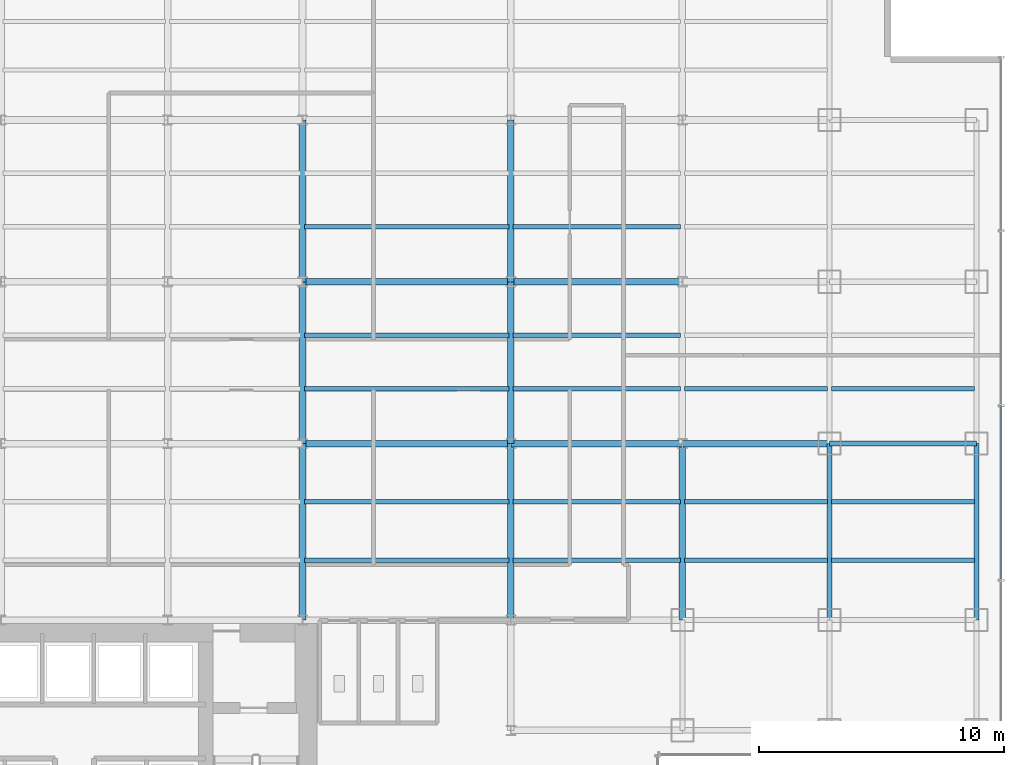
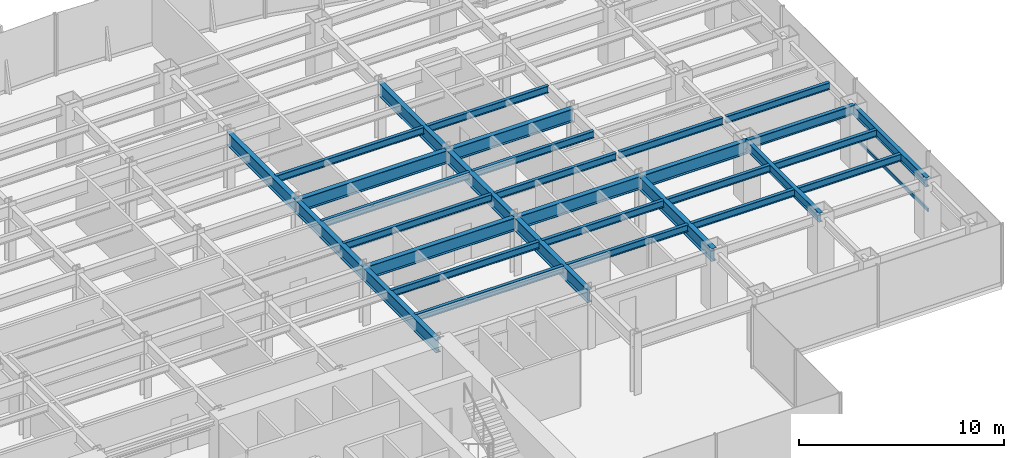
# One storey, part 8 of 22: 31 beams, 1 member, 1 element without a shape of its own.
"""IFC4 building model written with IfcOpenShell, lengths in metres."""

from ifc_helpers import new_model, si_unit, derived_unit, direction, frame, origin, origin_2d, place, context, subcontext, project, spatial, hollow_rectangle, i_section, extrude, source, transform, mapped, material, material_profile, profile_set, type_object, element, aggregate, save


model = new_model("IFC4")

# Units and contexts
model_context = context("Model", 3, precision=1e-05, world=origin(), true_north=direction((0.0, 1.0)))
body_context = subcontext(model_context, "Body", "Model", "MODEL_VIEW")
ifc_project = project(units=[si_unit("LENGTHUNIT", "METRE"), si_unit("AREAUNIT", "SQUARE_METRE"), si_unit("VOLUMEUNIT", "CUBIC_METRE"), si_unit("PLANEANGLEUNIT", "RADIAN"), si_unit("MASSUNIT", "GRAM", prefix="KILO"), derived_unit("THERMALTRANSMITTANCEUNIT", [(si_unit("POWERUNIT", "WATT"), 1), (si_unit("LENGTHUNIT", "METRE"), -2), (si_unit("THERMODYNAMICTEMPERATUREUNIT", "KELVIN"), -1)])], contexts=[model_context])

# Site, building, storey
site_placement = place(None, origin())
site = spatial("IfcSite", under=ifc_project, at=site_placement, CompositionType="ELEMENT")
building_placement = place(site_placement, origin())
building = spatial("IfcBuilding", under=site, at=building_placement, Name="Skarnbrae Concourse Arena and Tower", CompositionType="ELEMENT")
storey_placement = place(building_placement, frame((0.0, 0.0, 69.0)))
storey = spatial("IfcBuildingStorey", under=building, at=storey_placement, Name="L16", CompositionType="ELEMENT", Elevation=69.0)

# Beams
ifc_material_1 = material(Name="Steel CSA G40.21 350W", Category="steel")
ifc_material_profile_1 = material_profile(ifc_material_1, i_section(OverallWidth=0.26806640625, OverallDepth=0.77001953125, WebThickness=0.015625, FlangeThickness=0.025390625, at=origin_2d()), Name="W760X196")
ifc_profile_set_1 = profile_set([ifc_material_profile_1], Name="Steel CSA G40.21 350W")
beam_type_1 = type_object("IfcBeamType", Name="BM-GIRD-W760X196", PredefinedType="BEAM", material=ifc_profile_set_1)
shared_shape_1 = source(origin(), body_context, "Body", "SweptSolid", [
    extrude(i_section(OverallWidth=0.26806640625, OverallDepth=0.77001953125, WebThickness=0.015625, FlangeThickness=0.025390625, at=origin_2d()), origin(), (0.0, 0.0, 1.0), 7.0),
])
for number, where, z_axis, x_axis, name in (
    (1, (42.0, 21.199951171875, 3.014892578125), (1.0, 0.0, 0.0), (0.0, 1.0, 0.0), "L16 Primary E-W girder Y21.2-7"),
    (2, (42.0, 27.800048828125, 3.014892578125), (1.0, 0.0, 0.0), (0.0, 1.0, 0.0), "L16 Primary E-W girder Y27.8-7"),
):
    element("IfcBeam", number, at=place(storey_placement, frame(where, z_axis=z_axis, x_axis=x_axis)), inside=storey, type_object=beam_type_1, Name=name, PredefinedType="BEAM", context=body_context, shape_type="MappedRepresentation", body=[
        mapped(shared_shape_1, transform((0.0, 0.0, 0.0))),
    ])
ifc_material_profile_2 = material_profile(ifc_material_1, i_section(OverallWidth=0.214111328125, OverallDepth=0.549072265625, WebThickness=0.0146484375, FlangeThickness=0.023681640625, at=origin_2d()), Name="W530X138")
ifc_profile_set_2 = profile_set([ifc_material_profile_2], Name="Steel CSA G40.21 350W")
beam_type_2 = type_object("IfcBeamType", Name="BM-SPAN-W530X138", PredefinedType="SPANDREL", material=ifc_profile_set_2)
shared_shape_2 = source(origin(), body_context, "Body", "SweptSolid", [
    extrude(i_section(OverallWidth=0.214111328125, OverallDepth=0.549072265625, WebThickness=0.0146484375, FlangeThickness=0.023681640625, at=origin_2d()), origin(), (0.0, 0.0, 1.0), 6.0),
])
beam_1_placement = place(storey_placement, frame((55.0, 21.199951171875, 3.12548828125), z_axis=(1.0, 0.0, 0.0), x_axis=(0.0, 1.0, 0.0)))
element("IfcBeam", 3, at=beam_1_placement, inside=storey, type_object=beam_type_2, Name="L16 Perimeter spandrel Y21.2-9", PredefinedType="SPANDREL", context=body_context, shape_type="MappedRepresentation", body=[
    mapped(shared_shape_2, transform((0.0, 0.0, 0.0))),
])
shared_shape_3 = source(origin(), body_context, "Body", "SweptSolid", [
    extrude(i_section(OverallWidth=0.26806640625, OverallDepth=0.77001953125, WebThickness=0.015625, FlangeThickness=0.025390625, at=origin_2d()), origin(), (0.0, 0.0, 1.0), 6.60009765625),
])
for number, where, z_axis, x_axis, name in (
    (4, (33.5, 21.199951171875, 3.014892578125), (0.0, 1.0, 0.0), (-1.0, 0.0, 0.0), "L16 Primary N-S girder X33.5-2"),
    (5, (42.0, 21.199951171875, 3.014892578125), (0.0, 1.0, 0.0), (-1.0, 0.0, 0.0), "L16 Primary N-S girder X42.0-3"),
):
    element("IfcBeam", number, at=place(storey_placement, frame(where, z_axis=z_axis, x_axis=x_axis)), inside=storey, type_object=beam_type_1, Name=name, PredefinedType="BEAM", context=body_context, shape_type="MappedRepresentation", body=[
        mapped(shared_shape_3, transform((0.0, 0.0, 0.0))),
    ])
shared_shape_4 = source(origin(), body_context, "Body", "SweptSolid", [
    extrude(i_section(OverallWidth=0.26806640625, OverallDepth=0.77001953125, WebThickness=0.015625, FlangeThickness=0.025390625, at=origin_2d()), origin(), (0.0, 0.0, 1.0), 8.5),
])
for number, where, z_axis, x_axis, name in (
    (6, (33.5, 21.199951171875, 3.014892578125), (1.0, 0.0, 0.0), (0.0, 1.0, 0.0), "L16 Primary E-W girder Y21.2-6"),
    (7, (33.5, 27.800048828125, 3.014892578125), (1.0, 0.0, 0.0), (0.0, 1.0, 0.0), "L16 Primary E-W girder Y27.8-6"),
):
    element("IfcBeam", number, at=place(storey_placement, frame(where, z_axis=z_axis, x_axis=x_axis)), inside=storey, type_object=beam_type_1, Name=name, PredefinedType="BEAM", context=body_context, shape_type="MappedRepresentation", body=[
        mapped(shared_shape_4, transform((0.0, 0.0, 0.0))),
    ])
shared_shape_5 = source(origin(), body_context, "Body", "SweptSolid", [
    extrude(i_section(OverallWidth=0.26806640625, OverallDepth=0.77001953125, WebThickness=0.015625, FlangeThickness=0.025390625, at=origin_2d()), origin(), (0.0, 0.0, 1.0), 6.0),
])
beam_2_placement = place(storey_placement, frame((49.0, 21.199951171875, 3.014892578125), z_axis=(1.0, 0.0, 0.0), x_axis=(0.0, 1.0, 0.0)))
element("IfcBeam", 8, at=beam_2_placement, inside=storey, type_object=beam_type_1, Name="L16 Primary E-W girder Y21.2-8", PredefinedType="BEAM", context=body_context, shape_type="MappedRepresentation", body=[
    mapped(shared_shape_5, transform((0.0, 0.0, 0.0))),
])
shared_shape_6 = source(origin(), body_context, "Body", "SweptSolid", [
    extrude(i_section(OverallWidth=0.214111328125, OverallDepth=0.549072265625, WebThickness=0.0146484375, FlangeThickness=0.023681640625, at=origin_2d()), origin(), (0.0, 0.0, 1.0), 7.199951171875),
])
for number, where, z_axis, x_axis, name in (
    (9, (55.0, 14.0, 3.12548828125), (0.0, 1.0, 0.0), (-1.0, 0.0, 0.0), "L16 Perimeter spandrel X55.0-2"),
    (10, (61.0, 14.0, 3.12548828125), (0.0, 1.0, 0.0), (-1.0, 0.0, 0.0), "L16 Perimeter spandrel X61.0-2"),
):
    element("IfcBeam", number, at=place(storey_placement, frame(where, z_axis=z_axis, x_axis=x_axis)), inside=storey, type_object=beam_type_2, Name=name, PredefinedType="SPANDREL", context=body_context, shape_type="MappedRepresentation", body=[
        mapped(shared_shape_6, transform((0.0, 0.0, 0.0))),
    ])
shared_shape_7 = source(origin(), body_context, "Body", "SweptSolid", [
    extrude(i_section(OverallWidth=0.26806640625, OverallDepth=0.77001953125, WebThickness=0.015625, FlangeThickness=0.025390625, at=origin_2d()), origin(), (0.0, 0.0, 1.0), 7.199951171875),
])
for number, where, z_axis, x_axis, name in (
    (11, (33.5, 14.0, 3.014892578125), (0.0, 1.0, 0.0), (-1.0, 0.0, 0.0), "L16 Primary N-S girder X33.5-1"),
    (12, (42.0, 14.0, 3.014892578125), (0.0, 1.0, 0.0), (-1.0, 0.0, 0.0), "L16 Primary N-S girder X42.0-2"),
    (13, (49.0, 14.0, 3.014892578125), (0.0, 1.0, 0.0), (-1.0, 0.0, 0.0), "L16 Primary N-S girder X49.0-2"),
):
    element("IfcBeam", number, at=place(storey_placement, frame(where, z_axis=z_axis, x_axis=x_axis)), inside=storey, type_object=beam_type_1, Name=name, PredefinedType="BEAM", context=body_context, shape_type="MappedRepresentation", body=[
        mapped(shared_shape_7, transform((0.0, 0.0, 0.0))),
    ])
shared_shape_8 = source(origin(), body_context, "Body", "SweptSolid", [
    extrude(i_section(OverallWidth=0.26806640625, OverallDepth=0.77001953125, WebThickness=0.015625, FlangeThickness=0.025390625, at=origin_2d()), origin(), (0.0, 0.0, 1.0), 6.599853515625),
])
for number, where, z_axis, x_axis, name in (
    (14, (33.5, 27.800048828125, 3.014892578125), (0.0, 1.0, 0.0), (-1.0, 0.0, 0.0), "L16 Primary N-S girder X33.5-3"),
    (15, (42.0, 27.800048828125, 3.014892578125), (0.0, 1.0, 0.0), (-1.0, 0.0, 0.0), "L16 Primary N-S girder X42.0-4"),
):
    element("IfcBeam", number, at=place(storey_placement, frame(where, z_axis=z_axis, x_axis=x_axis)), inside=storey, type_object=beam_type_1, Name=name, PredefinedType="BEAM", context=body_context, shape_type="MappedRepresentation", body=[
        mapped(shared_shape_8, transform((0.0, 0.0, 0.0))),
    ])
ifc_material_profile_3 = material_profile(ifc_material_1, i_section(OverallWidth=0.180908203125, OverallDepth=0.4169921875, WebThickness=0.010986328125, FlangeThickness=0.018310546875, at=origin_2d()), Name="W410X85")
ifc_profile_set_3 = profile_set([ifc_material_profile_3], Name="Steel CSA G40.21 350W")
beam_type_3 = type_object("IfcBeamType", Name="BM-JOIST-W410X85", PredefinedType="JOIST", material=ifc_profile_set_3)
shared_shape_9 = source(origin(), body_context, "Body", "SweptSolid", [
    extrude(i_section(OverallWidth=0.180908203125, OverallDepth=0.4169921875, WebThickness=0.010986328125, FlangeThickness=0.018310546875, at=origin_2d()), origin(), (0.0, 0.0, 1.0), 8.33984375),
])
for number, where, z_axis, x_axis, name in (
    (16, (33.580078125, 16.447998046875, 3.19140625), (1.0, 0.0, 0.0), (0.0, 1.0, 0.0), "L16 Secondary floor joist 1.1.6"),
    (17, (33.580078125, 18.823974609375, 3.19140625), (1.0, 0.0, 0.0), (0.0, 1.0, 0.0), "L16 Secondary floor joist 1.2.6"),
    (18, (33.580078125, 23.444091796875, 3.19140625), (1.0, 0.0, 0.0), (0.0, 1.0, 0.0), "L16 Secondary floor joist 2.1.6"),
    (19, (33.580078125, 25.6220703125, 3.19140625), (1.0, 0.0, 0.0), (0.0, 1.0, 0.0), "L16 Secondary floor joist 2.2.6"),
    (20, (33.580078125, 30.0439453125, 3.19140625), (1.0, 0.0, 0.0), (0.0, 1.0, 0.0), "L16 Secondary floor joist 3.1.6"),
):
    element("IfcBeam", number, at=place(storey_placement, frame(where, z_axis=z_axis, x_axis=x_axis)), inside=storey, type_object=beam_type_3, Name=name, PredefinedType="JOIST", context=body_context, shape_type="MappedRepresentation", body=[
        mapped(shared_shape_9, transform((0.0, 0.0, 0.0))),
    ])
shared_shape_10 = source(origin(), body_context, "Body", "SweptSolid", [
    extrude(i_section(OverallWidth=0.180908203125, OverallDepth=0.4169921875, WebThickness=0.010986328125, FlangeThickness=0.018310546875, at=origin_2d()), origin(), (0.0, 0.0, 1.0), 6.83984375),
])
for number, where, z_axis, x_axis, name in (
    (21, (42.080078125, 16.447998046875, 3.19140625), (1.0, 0.0, 0.0), (0.0, 1.0, 0.0), "L16 Secondary floor joist 1.1.7"),
    (22, (42.080078125, 18.823974609375, 3.19140625), (1.0, 0.0, 0.0), (0.0, 1.0, 0.0), "L16 Secondary floor joist 1.2.7"),
    (23, (42.080078125, 23.444091796875, 3.19140625), (1.0, 0.0, 0.0), (0.0, 1.0, 0.0), "L16 Secondary floor joist 2.1.7"),
    (24, (42.080078125, 25.6220703125, 3.19140625), (1.0, 0.0, 0.0), (0.0, 1.0, 0.0), "L16 Secondary floor joist 2.2.7"),
    (25, (42.080078125, 30.0439453125, 3.19140625), (1.0, 0.0, 0.0), (0.0, 1.0, 0.0), "L16 Secondary floor joist 3.1.7"),
):
    element("IfcBeam", number, at=place(storey_placement, frame(where, z_axis=z_axis, x_axis=x_axis)), inside=storey, type_object=beam_type_3, Name=name, PredefinedType="JOIST", context=body_context, shape_type="MappedRepresentation", body=[
        mapped(shared_shape_10, transform((0.0, 0.0, 0.0))),
    ])
shared_shape_11 = source(origin(), body_context, "Body", "SweptSolid", [
    extrude(i_section(OverallWidth=0.180908203125, OverallDepth=0.4169921875, WebThickness=0.010986328125, FlangeThickness=0.018310546875, at=origin_2d()), origin(), (0.0, 0.0, 1.0), 5.83984375),
])
for number, where, z_axis, x_axis, name in (
    (26, (49.080078125, 16.447998046875, 3.19140625), (1.0, 0.0, 0.0), (0.0, 1.0, 0.0), "L16 Secondary floor joist 1.1.8"),
    (27, (55.080078125, 16.447998046875, 3.19140625), (1.0, 0.0, 0.0), (0.0, 1.0, 0.0), "L16 Secondary floor joist 1.1.9"),
    (28, (49.080078125, 18.823974609375, 3.19140625), (1.0, 0.0, 0.0), (0.0, 1.0, 0.0), "L16 Secondary floor joist 1.2.8"),
    (29, (55.080078125, 18.823974609375, 3.19140625), (1.0, 0.0, 0.0), (0.0, 1.0, 0.0), "L16 Secondary floor joist 1.2.9"),
    (30, (49.080078125, 23.444091796875, 3.19140625), (1.0, 0.0, 0.0), (0.0, 1.0, 0.0), "L16 Secondary floor joist 2.1.8"),
    (31, (55.080078125, 23.444091796875, 3.19140625), (1.0, 0.0, 0.0), (0.0, 1.0, 0.0), "L16 Secondary floor joist 2.1.9"),
):
    element("IfcBeam", number, at=place(storey_placement, frame(where, z_axis=z_axis, x_axis=x_axis)), inside=storey, type_object=beam_type_3, Name=name, PredefinedType="JOIST", context=body_context, shape_type="MappedRepresentation", body=[
        mapped(shared_shape_11, transform((0.0, 0.0, 0.0))),
    ])

# Curtain wall, member
ifc_material_2 = material(Name="Bronze anodised aluminium 6063-T6", Category="aluminium")
curtain_wall_type = type_object("IfcCurtainWallType", Name="CW-SYS-02-LOWZONE", PredefinedType="USERDEFINED", material=ifc_material_2)
curtain_wall_placement = place(storey_placement, origin())
curtain_wall = element("IfcCurtainWall", 32, at=curtain_wall_placement, inside=storey, type_object=curtain_wall_type, Name="L16 Unitised curtain wall CW-L16-E04", ObjectType="UNITISED CURTAIN WALL", PredefinedType="USERDEFINED")
ifc_material_profile_4 = material_profile(ifc_material_2, hollow_rectangle(XDim=0.080078125, YDim=0.18994140625, WallThickness=0.0048828125, at=origin_2d()), Name="ALU-TRAN-80X190")
ifc_profile_set_4 = profile_set([ifc_material_profile_4], Name="Bronze anodised aluminium 6063-T6")
member_type = type_object("IfcMemberType", Name="CWT-CW-02", PredefinedType="USERDEFINED", material=ifc_profile_set_4)
shared_shape_12 = source(origin(), body_context, "Body", "SweptSolid", [
    extrude(hollow_rectangle(XDim=0.080078125, YDim=0.18994140625, WallThickness=0.0048828125, at=origin_2d()), origin(), (0.0, 0.0, 1.0), 7.044921875),
])
member_placement = place(storey_placement, frame((62.0, 15.6650390625, 0.094970703125), z_axis=(0.0, 1.0, 0.0), x_axis=(-1.0, 0.0, 0.0)))
member = element("IfcMember", 33, at=member_placement, type_object=member_type, Name="CW-L16-E04 Transom 2", ObjectType="TRANSOM", PredefinedType="USERDEFINED", context=body_context, shape_type="MappedRepresentation", body=[
    mapped(shared_shape_12, transform((0.0, 0.0, 0.0))),
])
aggregate(curtain_wall, [member])

save(model, "model.ifc")
